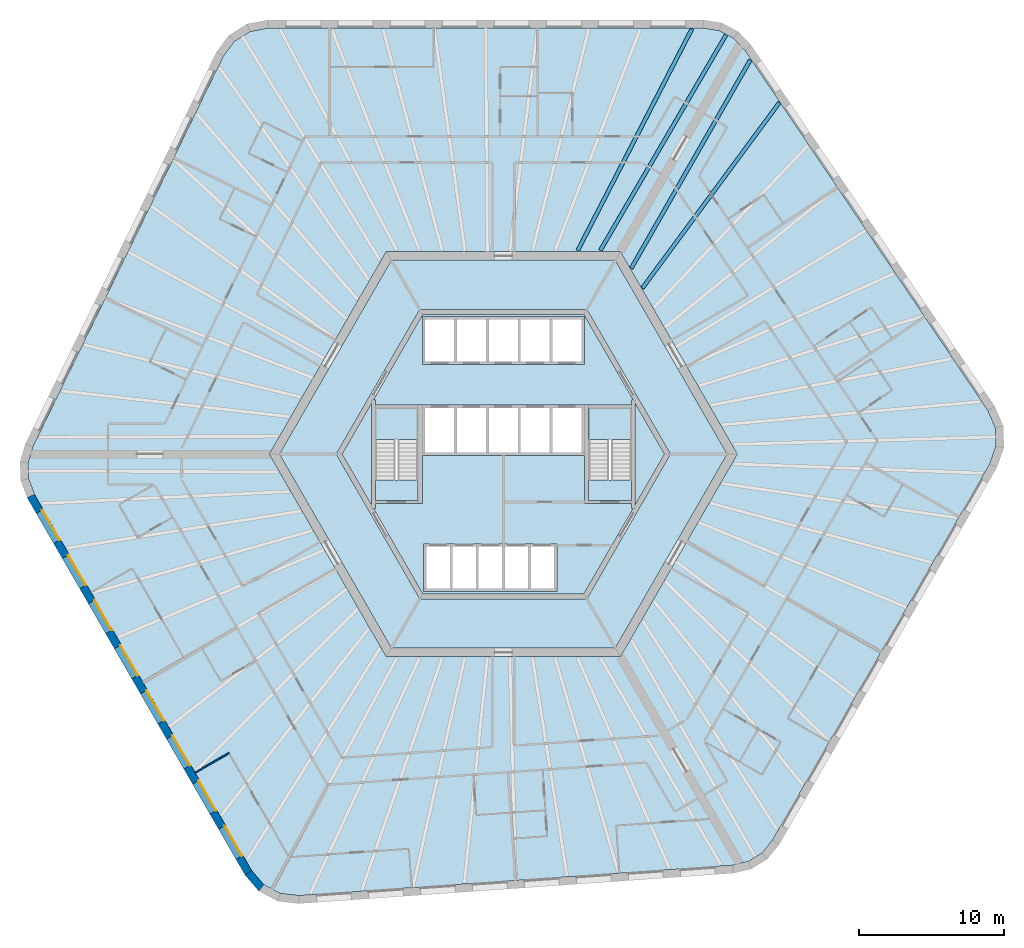
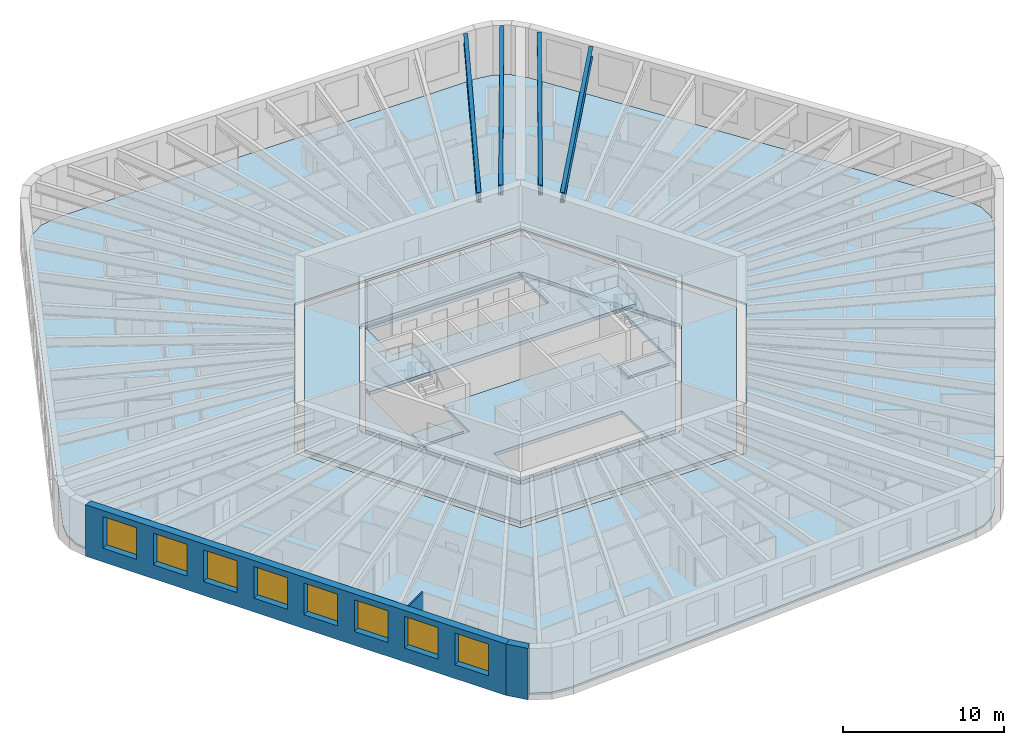
# One storey, part 2 of 12: 10 slabs, 8 windows, 4 beams, 3 walls, 8 openings, 2 elements without a shape of their own.
"""IFC4 building model written with IfcOpenShell, lengths in metres."""

from ifc_helpers import new_model, si_unit, direction, frame, frame_2d, origin, origin_2d, place, context, subcontext, project, spatial, polyline, rectangle, i_section, outline, extrude, material, layer, layer_set, material_profile, profile_set, type_object, element, fill, aggregate, save


model = new_model("IFC4")

# Units and contexts
model_context = context("Model", 3, precision=1e-05, world=origin(), true_north=direction((0.0, 1.0)))
body_context = subcontext(model_context, "Body", "Model", "MODEL_VIEW")
ifc_project = project(units=[si_unit("LENGTHUNIT", "METRE"), si_unit("AREAUNIT", "SQUARE_METRE"), si_unit("VOLUMEUNIT", "CUBIC_METRE"), si_unit("PLANEANGLEUNIT", "RADIAN"), si_unit("MASSUNIT", "GRAM", prefix="KILO")], contexts=[model_context])

# Site, building, storey
site_placement = place(None, origin())
site = spatial("IfcSite", under=ifc_project, at=site_placement, CompositionType="ELEMENT")
building_placement = place(site_placement, origin())
building = spatial("IfcBuilding", under=site, at=building_placement, Name="Tarnside Tower", CompositionType="ELEMENT")
storey_placement = place(building_placement, frame((0.0, 0.0, 64.800048828125)))
storey = spatial("IfcBuildingStorey", under=building, at=storey_placement, Name="L13", CompositionType="ELEMENT", Elevation=64.800048828125)

# Beams
ifc_material_1 = material(Name="Steel S355", Category="steel")
ifc_material_profile = material_profile(ifc_material_1, i_section(OverallWidth=0.2666015625, OverallDepth=0.76220703125, WebThickness=0.014404296875, FlangeThickness=0.021484375, FilletRadius=0.0166015625, at=origin_2d()), Name="UB 762x267x173")
ifc_profile_set = profile_set([ifc_material_profile], Name="Steel S355")
beam_type = type_object("IfcBeamType", Name="Floor beam UB 762x267x173", PredefinedType="BEAM", material=ifc_profile_set)
beam_1_placement = place(storey_placement, frame((13.0283203125, 29.37890625, 3.368896484375), z_axis=(-0.457973226459, -0.888965985765, 0.0), x_axis=(0.888965985765, -0.457973226459, 0.0)))
element("IfcBeam", 1, at=beam_1_placement, inside=storey, type_object=beam_type, Name="Floor beam F1.01", PredefinedType="BEAM", context=body_context, shape_type="SweptSolid", body=[
    extrude(i_section(OverallWidth=0.2666015625, OverallDepth=0.76220703125, WebThickness=0.014404296875, FlangeThickness=0.021484375, FilletRadius=0.0166015625, at=origin_2d()), origin(), (0.0, 0.0, 1.0), 17.219970703125),
])
beam_2_placement = place(storey_placement, frame((19.072021484375, 24.28857421875, 3.368896484375), z_axis=(-0.593986893499, -0.804474717037, 0.0), x_axis=(0.804474717037, -0.593986893499, 0.0)))
element("IfcBeam", 2, at=beam_2_placement, inside=storey, type_object=beam_type, Name="Floor beam F6.08", PredefinedType="BEAM", context=body_context, shape_type="SweptSolid", body=[
    extrude(i_section(OverallWidth=0.2666015625, OverallDepth=0.76220703125, WebThickness=0.014404296875, FlangeThickness=0.021484375, FilletRadius=0.0166015625, at=origin_2d()), origin(), (0.0, 0.0, 1.0), 15.934326171875),
])
beam_3_placement = place(storey_placement, frame((17.066162109375, 27.235107421875, 3.368896484375), z_axis=(-0.49622611841, -0.868193319145, 0.0), x_axis=(0.868193319145, -0.49622611841, 0.0)))
element("IfcBeam", 3, at=beam_3_placement, inside=storey, type_object=beam_type, Name="Floor beam F6.09", PredefinedType="BEAM", context=body_context, shape_type="SweptSolid", body=[
    extrude(i_section(OverallWidth=0.2666015625, OverallDepth=0.76220703125, WebThickness=0.014404296875, FlangeThickness=0.021484375, FilletRadius=0.0166015625, at=origin_2d()), origin(), (0.0, 0.0, 1.0), 16.586669921875),
])
beam_4_placement = place(storey_placement, frame((15.4013671875, 28.990478515625, 3.368896484375), z_axis=(-0.503858723096, -0.863786077198, 0.0), x_axis=(0.863786077198, -0.503858723096, 0.0)))
element("IfcBeam", 4, at=beam_4_placement, inside=storey, type_object=beam_type, Name="Floor beam C6", PredefinedType="BEAM", context=body_context, shape_type="SweptSolid", body=[
    extrude(i_section(OverallWidth=0.2666015625, OverallDepth=0.76220703125, WebThickness=0.014404296875, FlangeThickness=0.021484375, FilletRadius=0.0166015625, at=origin_2d()), origin(), (0.0, 0.0, 1.0), 17.2744140625),
])

# Slabs
ifc_material_2 = material(Name="Concrete C35/45", Category="concrete")
ifc_layer_1 = layer(ifc_material_2, 0.14990234375)
ifc_layer_set_1 = layer_set([ifc_layer_1], Name="Composite floor slab 150")
slab_type_1 = type_object("IfcSlabType", Name="Composite floor slab 150", PredefinedType="FLOOR", material=ifc_layer_set_1)
slab_1_placement = place(storey_placement, frame((0.0, 0.0, -0.150146484375)))
element("IfcSlab", 5, at=slab_1_placement, inside=storey, type_object=slab_type_1, Name="Floor slab L13", PredefinedType="FLOOR", context=body_context, shape_type="SweptSolid", body=[
    extrude(outline(polyline([(14.927490234375, 29.264892578125), (15.91455078125, 28.740234375), (16.697265625, 27.91064453125), (33.48583984375, 3.0205078125), (34.001220703125, 1.825439453125), (34.0458984375, 0.55078125), (33.614990234375, -0.67724609375), (18.603515625, -26.677978515625), (17.880615234375, -27.56005859375), (16.9326171875, -28.15234375), (15.82275390625, -28.41552734375), (-14.127197265625, -30.509765625), (-15.419921875, -30.358642578125), (-16.5458984375, -29.760009765625), (-17.39404296875, -28.772705078125), (-32.405517578125, -2.772216796875), (-32.80810546875, -1.704833984375), (-32.846923828125, -0.587890625), (-32.52001953125, 0.5048828125), (-19.358642578125, 27.4892578125), (-18.58154296875, 28.533203125), (-17.5, 29.208984375), (-16.220947265625, 29.449951171875), (13.802001953125, 29.449951171875), (14.927490234375, 29.264892578125)]), holes=[polyline([(-16.165771484375, 0.0), (-8.0830078125, -14.0), (8.0830078125, -14.0), (16.165771484375, 0.0), (8.0830078125, 14.0), (-8.0830078125, 14.0), (-16.165771484375, 0.0)])]), origin(), (0.0, 0.0, 1.0), 0.150146484375),
])
ifc_material_3 = material(Name="Concrete C40/50", Category="concrete")
ifc_layer_2 = layer(ifc_material_3, 0.25)
ifc_layer_set_2 = layer_set([ifc_layer_2], Name="Core slab C40/50")
slab_type_2 = type_object("IfcSlabType", Name="Core slab C40/50", PredefinedType="FLOOR", material=ifc_layer_set_2)
slab_2_placement = place(storey_placement, frame((0.0, 0.0, -0.25)))
element("IfcSlab", 6, at=slab_2_placement, inside=storey, type_object=slab_type_2, Name="L13 core floor slab 1", PredefinedType="FLOOR", context=body_context, shape_type="SweptSolid", body=[
    extrude(outline(polyline([(-15.472900390625, 0.0), (-7.736572265625, 13.39990234375), (7.736572265625, 13.39990234375), (15.472900390625, 0.0), (7.736572265625, -13.39990234375), (-7.736572265625, -13.39990234375), (-15.472900390625, 0.0)]), holes=[polyline([(5.823974609375, -9.91259765625), (11.49658203125, -0.08740234375), (11.344970703125, 0.0), (11.49658203125, 0.08740234375), (5.823974609375, 9.91259765625), (5.672607421875, 9.824951171875), (5.672607421875, 10.0), (-5.672607421875, 10.0), (-5.672607421875, 9.824951171875), (-5.823974609375, 9.91259765625), (-11.49658203125, 0.08740234375), (-11.344970703125, 0.0), (-11.49658203125, -0.08740234375), (-5.823974609375, -9.91259765625), (-5.672607421875, -9.824951171875), (-5.672607421875, -10.0), (5.672607421875, -10.0), (5.672607421875, -9.824951171875), (5.823974609375, -9.91259765625)])]), origin(), (0.0, 0.0, 1.0), 0.25),
])
slab_3_placement = place(storey_placement, frame((0.0, 0.0, -0.25)))
element("IfcSlab", 7, at=slab_3_placement, inside=storey, type_object=slab_type_2, Name="L13 core floor slab 2", PredefinedType="FLOOR", context=body_context, shape_type="SweptSolid", body=[
    extrude(outline(polyline([(-8.97509765625, 3.7548828125), (-5.5712890625, 9.64990234375), (5.5712890625, 9.64990234375), (8.97509765625, 3.7548828125), (8.85009765625, 3.7548828125), (8.85009765625, 3.39990234375), (5.89990234375, 3.39990234375), (5.60009765625, 3.39990234375), (5.60009765625, 3.39990234375), (-5.60009765625, 3.39990234375), (-5.89990234375, 3.39990234375), (-8.85009765625, 3.39990234375), (-8.85009765625, 3.7548828125), (-8.97509765625, 3.7548828125)]), holes=[polyline([(-5.60009765625, 6.199951171875), (5.60009765625, 6.199951171875), (5.60009765625, 6.39990234375), (5.60009765625, 9.300048828125), (5.60009765625, 9.5), (-5.60009765625, 9.5), (-5.60009765625, 9.300048828125), (-5.60009765625, 6.39990234375), (-5.60009765625, 6.199951171875)])]), origin(), (0.0, 0.0, 1.0), 0.25),
])
slab_4_placement = place(storey_placement, frame((0.0, 0.0, -0.25)))
element("IfcSlab", 8, at=slab_4_placement, inside=storey, type_object=slab_type_2, Name="L13 core floor slab 3", PredefinedType="FLOOR", context=body_context, shape_type="SweptSolid", body=[
    extrude(outline(polyline([(5.60009765625, -3.39990234375), (5.89990234375, -3.39990234375), (8.85009765625, -3.39990234375), (8.85009765625, -3.7548828125), (8.97509765625, -3.7548828125), (5.5712890625, -9.64990234375), (-5.5712890625, -9.64990234375), (-8.97509765625, -3.7548828125), (-8.85009765625, -3.7548828125), (-8.85009765625, -3.39990234375), (-5.89990234375, -3.39990234375), (-5.60009765625, -3.39990234375), (-5.60009765625, -0.10009765625), (5.60009765625, -0.10009765625), (5.60009765625, -3.39990234375)]), holes=[polyline([(-5.5, -9.300048828125), (-5.5, -9.5), (3.699951171875, -9.5), (3.699951171875, -9.300048828125), (3.699951171875, -6.39990234375), (3.699951171875, -6.199951171875), (-5.5, -6.199951171875), (-5.5, -6.39990234375), (-5.5, -9.300048828125)])]), origin(), (0.0, 0.0, 1.0), 0.25),
])
slab_5_placement = place(storey_placement, frame((0.0, 0.0, -0.25)))
element("IfcSlab", 9, at=slab_5_placement, inside=storey, type_object=slab_type_2, Name="L13 core floor slab 4", PredefinedType="FLOOR", context=body_context, shape_type="SweptSolid", body=[
    extrude(outline(polyline([(-11.142822265625, 0.0), (-9.10009765625, 3.538330078125), (-9.10009765625, -3.538330078125), (-11.142822265625, 0.0)])), origin(), (0.0, 0.0, 1.0), 0.25),
])
slab_6_placement = place(storey_placement, frame((0.0, 0.0, -0.25)))
element("IfcSlab", 10, at=slab_6_placement, inside=storey, type_object=slab_type_2, Name="L13 core floor slab 5", PredefinedType="FLOOR", context=body_context, shape_type="SweptSolid", body=[
    extrude(outline(polyline([(-8.85009765625, -1.800048828125), (-5.89990234375, -1.800048828125), (-5.89990234375, -3.199951171875), (-8.85009765625, -3.199951171875), (-8.85009765625, -1.800048828125)])), origin(), (0.0, 0.0, 1.0), 0.25),
])
slab_7_placement = place(storey_placement, frame((0.0, 0.0, -0.25)))
element("IfcSlab", 11, at=slab_7_placement, inside=storey, type_object=slab_type_2, Name="L13 core floor slab 6", PredefinedType="FLOOR", context=body_context, shape_type="SweptSolid", body=[
    extrude(outline(polyline([(5.89990234375, -3.199951171875), (5.89990234375, -1.800048828125), (8.85009765625, -1.800048828125), (8.85009765625, -3.199951171875), (5.89990234375, -3.199951171875)])), origin(), (0.0, 0.0, 1.0), 0.25),
])
slab_8_placement = place(storey_placement, frame((0.0, 0.0, -0.25)))
element("IfcSlab", 12, at=slab_8_placement, inside=storey, type_object=slab_type_2, Name="L13 core floor slab 7", PredefinedType="FLOOR", context=body_context, shape_type="SweptSolid", body=[
    extrude(outline(polyline([(9.10009765625, -3.538330078125), (9.10009765625, 3.538330078125), (11.142822265625, 0.0), (9.10009765625, -3.538330078125)])), origin(), (0.0, 0.0, 1.0), 0.25),
])

# Stair, slab
stair_type = type_object("IfcStairType", Name="Exit stair 1400 clear", PredefinedType="HALF_TURN_STAIR", material=ifc_material_3)
stair_1_placement = place(storey_placement, origin())
stair_1 = element("IfcStair", 13, at=stair_1_placement, inside=storey, type_object=stair_type, Name="L13 Exit stair 1", PredefinedType="HALF_TURN_STAIR")
ifc_layer_3 = layer(ifc_material_3, 0.199951171875)
ifc_layer_set_3 = layer_set([ifc_layer_3], Name="Stair landing 200 C40/50")
slab_type_3 = type_object("IfcSlabType", Name="Stair landing 200 C40/50", PredefinedType="LANDING", material=ifc_layer_set_3)
slab_9_placement = place(storey_placement, frame((0.0, 0.0, 1.75)))
slab_9 = element("IfcSlab", 14, at=slab_9_placement, type_object=slab_type_3, Name="ST1 landing 1", PredefinedType="LANDING", context=body_context, shape_type="SweptSolid", body=[
    extrude(outline(polyline([(8.85009765625, 1.0), (8.85009765625, 3.199951171875), (5.89990234375, 3.199951171875), (5.89990234375, 1.0), (8.85009765625, 1.0)])), origin(), (0.0, 0.0, 1.0), 0.199951171875),
])
aggregate(stair_1, [slab_9])

stair_2_placement = place(storey_placement, origin())
stair_2 = element("IfcStair", 15, at=stair_2_placement, inside=storey, type_object=stair_type, Name="L13 Exit stair 2", PredefinedType="HALF_TURN_STAIR")
slab_10_placement = place(storey_placement, frame((0.0, 0.0, 1.75)))
slab_10 = element("IfcSlab", 16, at=slab_10_placement, type_object=slab_type_3, Name="ST2 landing 1", PredefinedType="LANDING", context=body_context, shape_type="SweptSolid", body=[
    extrude(outline(polyline([(-5.89990234375, 1.0), (-5.89990234375, 3.199951171875), (-8.85009765625, 3.199951171875), (-8.85009765625, 1.0), (-5.89990234375, 1.0)])), origin(), (0.0, 0.0, 1.0), 0.199951171875),
])
aggregate(stair_2, [slab_10])

# Wall
ifc_material_4 = material(Name="Gypsum board partition on steel studs", Category="steel")
ifc_layer_4 = layer(ifc_material_4, 0.10009765625)
ifc_layer_set_4 = layer_set([ifc_layer_4], Name="Partition 100")
wall_type_1 = type_object("IfcWallType", Name="Partition 100", PredefinedType="PARTITIONING", material=ifc_layer_set_4)
wall_1_placement = place(storey_placement, frame((-21.298828125, -22.00927734375, 0.0), z_axis=(0.0, 0.0, 1.0), x_axis=(0.86599734893, 0.500048589285, 0.0)))
element("IfcWall", 17, at=wall_1_placement, inside=storey, type_object=wall_type_1, Name="Partition wall 03107", PredefinedType="PARTITIONING", context=body_context, shape_type="SweptSolid", body=[
    extrude(rectangle(XDim=2.699951171875, YDim=0.10009765625, at=frame_2d((1.35009765625, 0.0))), origin(), (0.0, 0.0, 1.0), 2.98779296875),
])

# Wall, openings, windows
ifc_material_5 = material(Name="Facing brick", Category="masonry")
ifc_layer_5 = layer(ifc_material_5, 0.10205078125)
ifc_material_6 = material(Name="Concrete C60/75 precast", Category="concrete")
ifc_layer_6 = layer(ifc_material_6, 0.347900390625)
ifc_material_7 = material(Name="Mineral wool insulation")
ifc_layer_7 = layer(ifc_material_7, 0.10009765625)
ifc_layer_set_5 = layer_set([ifc_layer_5, ifc_layer_6, ifc_layer_7], Name="Tube wall 550 brick faced")
wall_type_2 = type_object("IfcWallType", Name="Tube wall 550 brick faced", PredefinedType="SOLIDWALL", material=ifc_layer_set_5)
wall_2_placement = place(storey_placement, frame((-32.65478515625, -2.89013671875, -0.150146484375), z_axis=(0.0, 0.0, 1.0), x_axis=(0.499997711317, -0.866026725152, 0.0)))
wall_2 = element("IfcWall", 18, at=wall_2_placement, inside=storey, type_object=wall_type_2, Name="Tube wall L13 F3 flush 08", PredefinedType="SOLIDWALL", context=body_context, shape_type="SweptSolid", body=[
    extrude(outline(polyline([(-0.0224609375, -0.27490234375), (30.0966796875, -0.27490234375), (30.04541015625, 0.27490234375), (0.0224609375, 0.27490234375), (-0.0224609375, -0.27490234375)])), origin(), (0.0, 0.0, 1.0), 3.900146484375),
])
opening_1_placement = place(wall_2_placement, frame((1.235595703125, 0.0, 1.050048828125)))
opening_1 = element("IfcOpeningElement", 19, at=opening_1_placement, cuts=wall_2, Name="Opening WH", PredefinedType="OPENING", context=body_context, shape_type="SweptSolid", body=[
    extrude(rectangle(XDim=2.39990234375, YDim=2.39990234375, at=frame_2d((1.199951171875, 1.199951171875))), frame((0.0, 0.28515625, 0.0), z_axis=(0.0, -1.0, 0.0), x_axis=(1.0, 0.0, 0.0)), (0.0, 0.0, 1.0), 0.570068359375),
])
opening_2_placement = place(wall_2_placement, frame((4.83544921875, 0.0, 1.050048828125)))
opening_2 = element("IfcOpeningElement", 20, at=opening_2_placement, cuts=wall_2, Name="Opening WH", PredefinedType="OPENING", context=body_context, shape_type="SweptSolid", body=[
    extrude(rectangle(XDim=2.39990234375, YDim=2.39990234375, at=frame_2d((1.199951171875, 1.199951171875))), frame((0.0, 0.28515625, 0.0), z_axis=(0.0, -1.0, 0.0), x_axis=(1.0, 0.0, 0.0)), (0.0, 0.0, 1.0), 0.570068359375),
])
opening_3_placement = place(wall_2_placement, frame((8.435546875, 0.0, 1.050048828125)))
opening_3 = element("IfcOpeningElement", 21, at=opening_3_placement, cuts=wall_2, Name="Opening WH", PredefinedType="OPENING", context=body_context, shape_type="SweptSolid", body=[
    extrude(rectangle(XDim=2.39990234375, YDim=2.39990234375, at=frame_2d((1.199951171875, 1.199951171875))), frame((0.0, 0.28515625, 0.0), z_axis=(0.0, -1.0, 0.0), x_axis=(1.0, 0.0, 0.0)), (0.0, 0.0, 1.0), 0.570068359375),
])
opening_4_placement = place(wall_2_placement, frame((12.035400390625, 0.0, 1.050048828125)))
opening_4 = element("IfcOpeningElement", 22, at=opening_4_placement, cuts=wall_2, Name="Opening WH", PredefinedType="OPENING", context=body_context, shape_type="SweptSolid", body=[
    extrude(rectangle(XDim=2.39990234375, YDim=2.39990234375, at=frame_2d((1.199951171875, 1.199951171875))), frame((0.0, 0.28515625, 0.0), z_axis=(0.0, -1.0, 0.0), x_axis=(1.0, 0.0, 0.0)), (0.0, 0.0, 1.0), 0.570068359375),
])
opening_5_placement = place(wall_2_placement, frame((15.635498046875, 0.0, 1.050048828125)))
opening_5 = element("IfcOpeningElement", 23, at=opening_5_placement, cuts=wall_2, Name="Opening WH", PredefinedType="OPENING", context=body_context, shape_type="SweptSolid", body=[
    extrude(rectangle(XDim=2.39990234375, YDim=2.39990234375, at=frame_2d((1.199951171875, 1.199951171875))), frame((0.0, 0.28515625, 0.0), z_axis=(0.0, -1.0, 0.0), x_axis=(1.0, 0.0, 0.0)), (0.0, 0.0, 1.0), 0.570068359375),
])
opening_6_placement = place(wall_2_placement, frame((19.235595703125, 0.0, 1.050048828125)))
opening_6 = element("IfcOpeningElement", 24, at=opening_6_placement, cuts=wall_2, Name="Opening WH", PredefinedType="OPENING", context=body_context, shape_type="SweptSolid", body=[
    extrude(rectangle(XDim=2.39990234375, YDim=2.39990234375, at=frame_2d((1.199951171875, 1.199951171875))), frame((0.0, 0.28515625, 0.0), z_axis=(0.0, -1.0, 0.0), x_axis=(1.0, 0.0, 0.0)), (0.0, 0.0, 1.0), 0.570068359375),
])
opening_7_placement = place(wall_2_placement, frame((22.83544921875, 0.0, 1.050048828125)))
opening_7 = element("IfcOpeningElement", 25, at=opening_7_placement, cuts=wall_2, Name="Opening WH", PredefinedType="OPENING", context=body_context, shape_type="SweptSolid", body=[
    extrude(rectangle(XDim=2.39990234375, YDim=2.39990234375, at=frame_2d((1.199951171875, 1.199951171875))), frame((0.0, 0.28515625, 0.0), z_axis=(0.0, -1.0, 0.0), x_axis=(1.0, 0.0, 0.0)), (0.0, 0.0, 1.0), 0.570068359375),
])
opening_8_placement = place(wall_2_placement, frame((26.435546875, 0.0, 1.050048828125)))
opening_8 = element("IfcOpeningElement", 26, at=opening_8_placement, cuts=wall_2, Name="Opening WH", PredefinedType="OPENING", context=body_context, shape_type="SweptSolid", body=[
    extrude(rectangle(XDim=2.39990234375, YDim=2.39990234375, at=frame_2d((1.199951171875, 1.199951171875))), frame((0.0, 0.28515625, 0.0), z_axis=(0.0, -1.0, 0.0), x_axis=(1.0, 0.0, 0.0)), (0.0, 0.0, 1.0), 0.570068359375),
])
ifc_material_8 = material(Name="Aluminium-framed double glazing", Category="aluminium")
window_type = type_object("IfcWindowType", Name="Hotel window 2400 x 2400", PartitioningType="DOUBLE_PANEL_VERTICAL", PredefinedType="WINDOW", material=ifc_material_8)
window_1_placement = place(opening_1_placement, frame((0.0, 0.205078125, 0.0)))
window_1 = element("IfcWindow", 27, at=window_1_placement, inside=storey, type_object=window_type, Name="E.WN.L13.F3.00", OverallHeight=2.39990234375, OverallWidth=2.39990234375, PartitioningType="DOUBLE_PANEL_VERTICAL", PredefinedType="WINDOW", context=body_context, shape_type="SweptSolid", body=[
    extrude(rectangle(XDim=2.39990234375, YDim=2.39990234375, at=frame_2d((1.199951171875, 1.199951171875))), frame((0.0, 0.030029296875, 0.0), z_axis=(0.0, -1.0, 0.0), x_axis=(1.0, 0.0, 0.0)), (0.0, 0.0, 1.0), 0.06005859375),
])
fill(opening_1, window_1)
window_2_placement = place(opening_2_placement, frame((0.0, 0.205078125, 0.0)))
window_2 = element("IfcWindow", 28, at=window_2_placement, inside=storey, type_object=window_type, Name="E.WN.L13.F3.01", OverallHeight=2.39990234375, OverallWidth=2.39990234375, PartitioningType="DOUBLE_PANEL_VERTICAL", PredefinedType="WINDOW", context=body_context, shape_type="SweptSolid", body=[
    extrude(rectangle(XDim=2.39990234375, YDim=2.39990234375, at=frame_2d((1.199951171875, 1.199951171875))), frame((0.0, 0.030029296875, 0.0), z_axis=(0.0, -1.0, 0.0), x_axis=(1.0, 0.0, 0.0)), (0.0, 0.0, 1.0), 0.06005859375),
])
fill(opening_2, window_2)
window_3_placement = place(opening_3_placement, frame((0.0, 0.205078125, 0.0)))
window_3 = element("IfcWindow", 29, at=window_3_placement, inside=storey, type_object=window_type, Name="E.WN.L13.F3.02", OverallHeight=2.39990234375, OverallWidth=2.39990234375, PartitioningType="DOUBLE_PANEL_VERTICAL", PredefinedType="WINDOW", context=body_context, shape_type="SweptSolid", body=[
    extrude(rectangle(XDim=2.39990234375, YDim=2.39990234375, at=frame_2d((1.199951171875, 1.199951171875))), frame((0.0, 0.030029296875, 0.0), z_axis=(0.0, -1.0, 0.0), x_axis=(1.0, 0.0, 0.0)), (0.0, 0.0, 1.0), 0.06005859375),
])
fill(opening_3, window_3)
window_4_placement = place(opening_4_placement, frame((0.0, 0.205078125, 0.0)))
window_4 = element("IfcWindow", 30, at=window_4_placement, inside=storey, type_object=window_type, Name="E.WN.L13.F3.03", OverallHeight=2.39990234375, OverallWidth=2.39990234375, PartitioningType="DOUBLE_PANEL_VERTICAL", PredefinedType="WINDOW", context=body_context, shape_type="SweptSolid", body=[
    extrude(rectangle(XDim=2.39990234375, YDim=2.39990234375, at=frame_2d((1.199951171875, 1.199951171875))), frame((0.0, 0.030029296875, 0.0), z_axis=(0.0, -1.0, 0.0), x_axis=(1.0, 0.0, 0.0)), (0.0, 0.0, 1.0), 0.06005859375),
])
fill(opening_4, window_4)
window_5_placement = place(opening_5_placement, frame((0.0, 0.205078125, 0.0)))
window_5 = element("IfcWindow", 31, at=window_5_placement, inside=storey, type_object=window_type, Name="E.WN.L13.F3.04", OverallHeight=2.39990234375, OverallWidth=2.39990234375, PartitioningType="DOUBLE_PANEL_VERTICAL", PredefinedType="WINDOW", context=body_context, shape_type="SweptSolid", body=[
    extrude(rectangle(XDim=2.39990234375, YDim=2.39990234375, at=frame_2d((1.199951171875, 1.199951171875))), frame((0.0, 0.030029296875, 0.0), z_axis=(0.0, -1.0, 0.0), x_axis=(1.0, 0.0, 0.0)), (0.0, 0.0, 1.0), 0.06005859375),
])
fill(opening_5, window_5)
window_6_placement = place(opening_6_placement, frame((0.0, 0.205078125, 0.0)))
window_6 = element("IfcWindow", 32, at=window_6_placement, inside=storey, type_object=window_type, Name="E.WN.L13.F3.05", OverallHeight=2.39990234375, OverallWidth=2.39990234375, PartitioningType="DOUBLE_PANEL_VERTICAL", PredefinedType="WINDOW", context=body_context, shape_type="SweptSolid", body=[
    extrude(rectangle(XDim=2.39990234375, YDim=2.39990234375, at=frame_2d((1.199951171875, 1.199951171875))), frame((0.0, 0.030029296875, 0.0), z_axis=(0.0, -1.0, 0.0), x_axis=(1.0, 0.0, 0.0)), (0.0, 0.0, 1.0), 0.06005859375),
])
fill(opening_6, window_6)
window_7_placement = place(opening_7_placement, frame((0.0, 0.205078125, 0.0)))
window_7 = element("IfcWindow", 33, at=window_7_placement, inside=storey, type_object=window_type, Name="E.WN.L13.F3.06", OverallHeight=2.39990234375, OverallWidth=2.39990234375, PartitioningType="DOUBLE_PANEL_VERTICAL", PredefinedType="WINDOW", context=body_context, shape_type="SweptSolid", body=[
    extrude(rectangle(XDim=2.39990234375, YDim=2.39990234375, at=frame_2d((1.199951171875, 1.199951171875))), frame((0.0, 0.030029296875, 0.0), z_axis=(0.0, -1.0, 0.0), x_axis=(1.0, 0.0, 0.0)), (0.0, 0.0, 1.0), 0.06005859375),
])
fill(opening_7, window_7)
window_8_placement = place(opening_8_placement, frame((0.0, 0.205078125, 0.0)))
window_8 = element("IfcWindow", 34, at=window_8_placement, inside=storey, type_object=window_type, Name="E.WN.L13.F3.07", OverallHeight=2.39990234375, OverallWidth=2.39990234375, PartitioningType="DOUBLE_PANEL_VERTICAL", PredefinedType="WINDOW", context=body_context, shape_type="SweptSolid", body=[
    extrude(rectangle(XDim=2.39990234375, YDim=2.39990234375, at=frame_2d((1.199951171875, 1.199951171875))), frame((0.0, 0.030029296875, 0.0), z_axis=(0.0, -1.0, 0.0), x_axis=(1.0, 0.0, 0.0)), (0.0, 0.0, 1.0), 0.06005859375),
])
fill(opening_8, window_8)

# Wall
wall_3_placement = place(storey_placement, frame((-17.619384765625, -28.932373046875, -0.150146484375), z_axis=(0.0, 0.0, 1.0), x_axis=(0.651621950847, -0.758543890078, 0.0)))
element("IfcWall", 35, at=wall_3_placement, inside=storey, type_object=wall_type_2, Name="Tube wall L13 F3 chord 09", PredefinedType="SOLIDWALL", context=body_context, shape_type="SweptSolid", body=[
    extrude(outline(polyline([(-0.025634765625, -0.27490234375), (1.430908203125, -0.27490234375), (1.327392578125, 0.27490234375), (0.025634765625, 0.27490234375), (-0.025634765625, -0.27490234375)])), origin(), (0.0, 0.0, 1.0), 3.900146484375),
])

save(model, "model.ifc")
